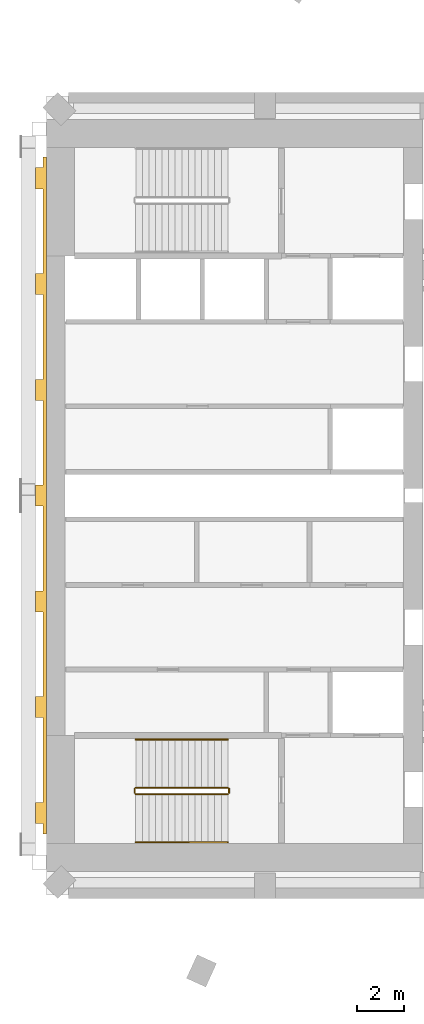
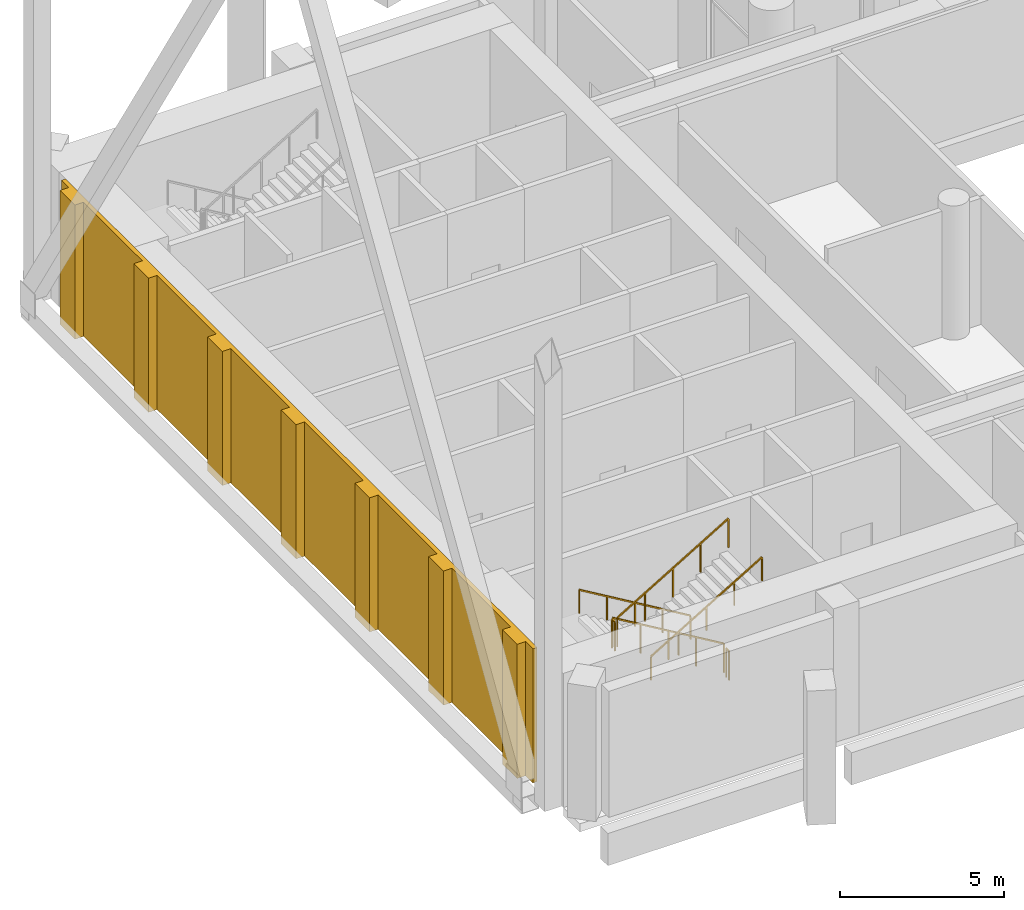
# One storey, part 10 of 12: 6 railings, 1 covering.
"""IFC4 building model written with IfcOpenShell, lengths in metres."""

from ifc_helpers import new_model, si_unit, direction, frame, origin, origin_2d, place, context, subcontext, project, spatial, polyline, rectangle, outline, extrude, material, layer, layer_set, type_object, element, save


model = new_model("IFC4")

# Units and contexts
model_context = context("Model", 3, precision=1e-05, world=origin(), true_north=direction((0.0, 1.0)))
body_context = subcontext(model_context, "Body", "Model", "MODEL_VIEW")
ifc_project = project(units=[si_unit("LENGTHUNIT", "METRE"), si_unit("AREAUNIT", "SQUARE_METRE"), si_unit("VOLUMEUNIT", "CUBIC_METRE"), si_unit("PLANEANGLEUNIT", "RADIAN"), si_unit("MASSUNIT", "GRAM", prefix="KILO")], contexts=[model_context])

# Site, building, storey
site_placement = place(None, origin())
site = spatial("IfcSite", under=ifc_project, at=site_placement, CompositionType="ELEMENT")
building_placement = place(site_placement, origin())
building = spatial("IfcBuilding", under=site, at=building_placement, Name="Cypress Arch Tower", CompositionType="ELEMENT")
storey_placement = place(building_placement, frame((0.0, 0.0, 238.39990234375)))
storey = spatial("IfcBuildingStorey", under=building, at=storey_placement, Name="L53", CompositionType="ELEMENT", Elevation=238.39990234375)

# Railings
ifc_material_1 = material(Name="Black powder-coated steel square bar 48 mm", Category="steel")
railing_type_1 = type_object("IfcRailingType", Name="Stair handrail HR1", PredefinedType="HANDRAIL", material=ifc_material_1)
railing_1_placement = place(storey_placement, frame((-22.27490234375, -10.375, 0.166748046875)))
element("IfcRailing", 1, at=railing_1_placement, inside=storey, type_object=railing_type_1, Name="L53 A stair handrail 1", PredefinedType="HANDRAIL", context=body_context, shape_type="SweptSolid", body=[
    extrude(rectangle(XDim=0.048095703125, YDim=0.048095703125, at=origin_2d()), frame((0.0, 0.0, 0.8759765625), z_axis=(-0.859310244771, 0.0, 0.511454693235), x_axis=(0.0, -1.0, 0.0)), (0.0, 0.0, 1.0), 4.56201171875),
    extrude(rectangle(XDim=0.0419921875, YDim=0.0419921875, at=origin_2d()), origin(), (0.0, 0.0, 1.0), 0.851806640625),
    extrude(rectangle(XDim=0.0419921875, YDim=0.0419921875, at=origin_2d()), frame((-0.97998046875, 0.0, 0.583251953125)), (0.0, 0.0, 1.0), 0.851806640625),
    extrude(rectangle(XDim=0.0419921875, YDim=0.0419921875, at=origin_2d()), frame((-1.9599609375, 0.0, 1.16650390625)), (0.0, 0.0, 1.0), 0.851806640625),
    extrude(rectangle(XDim=0.0419921875, YDim=0.0419921875, at=origin_2d()), frame((-2.940185546875, 0.0, 1.75)), (0.0, 0.0, 1.0), 0.851806640625),
    extrude(rectangle(XDim=0.0419921875, YDim=0.0419921875, at=origin_2d()), frame((-3.920166015625, 0.0, 2.333251953125)), (0.0, 0.0, 1.0), 0.851806640625),
])
railing_2_placement = place(storey_placement, frame((-26.195068359375, -14.75, 2.666748046875)))
element("IfcRailing", 2, at=railing_2_placement, inside=storey, type_object=railing_type_1, Name="L53 A stair handrail 2", PredefinedType="HANDRAIL", context=body_context, shape_type="SweptSolid", body=[
    extrude(rectangle(XDim=0.048095703125, YDim=0.048095703125, at=origin_2d()), frame((0.0, 0.0, 0.8759765625), z_axis=(0.859310244771, 0.0, 0.511454693235), x_axis=(0.0, 1.0, 0.0)), (0.0, 0.0, 1.0), 4.56201171875),
    extrude(rectangle(XDim=0.0419921875, YDim=0.0419921875, at=origin_2d()), origin(), (0.0, 0.0, 1.0), 0.851806640625),
    extrude(rectangle(XDim=0.0419921875, YDim=0.0419921875, at=origin_2d()), frame((0.97998046875, 0.0, 0.583251953125)), (0.0, 0.0, 1.0), 0.851806640625),
    extrude(rectangle(XDim=0.0419921875, YDim=0.0419921875, at=origin_2d()), frame((1.9599609375, 0.0, 1.16650390625)), (0.0, 0.0, 1.0), 0.851806640625),
    extrude(rectangle(XDim=0.0419921875, YDim=0.0419921875, at=origin_2d()), frame((2.940185546875, 0.0, 1.75)), (0.0, 0.0, 1.0), 0.851806640625),
    extrude(rectangle(XDim=0.0419921875, YDim=0.0419921875, at=origin_2d()), frame((3.920166015625, 0.0, 2.333251953125)), (0.0, 0.0, 1.0), 0.851806640625),
])
ifc_material_2 = material(Name="Black powder-coated steel balusters", Category="steel")
railing_type_2 = type_object("IfcRailingType", Name="Stair well guard G1", PredefinedType="GUARDRAIL", material=ifc_material_2)
railing_3_placement = place(storey_placement, frame((-22.27490234375, -12.425048828125, 0.166748046875)))
element("IfcRailing", 3, at=railing_3_placement, inside=storey, type_object=railing_type_2, Name="L53 A stair guard 1", PredefinedType="GUARDRAIL", context=body_context, shape_type="SweptSolid", body=[
    extrude(rectangle(XDim=0.048095703125, YDim=0.048095703125, at=origin_2d()), frame((0.0, 0.0, 1.076171875), z_axis=(-0.859310244771, 0.0, 0.511454693235), x_axis=(0.0, -1.0, 0.0)), (0.0, 0.0, 1.0), 4.56201171875),
    extrude(rectangle(XDim=0.0419921875, YDim=0.0419921875, at=origin_2d()), origin(), (0.0, 0.0, 1.0), 1.052001953125),
    extrude(rectangle(XDim=0.0419921875, YDim=0.0419921875, at=origin_2d()), frame((-0.97998046875, 0.0, 0.583251953125)), (0.0, 0.0, 1.0), 1.052001953125),
    extrude(rectangle(XDim=0.0419921875, YDim=0.0419921875, at=origin_2d()), frame((-1.9599609375, 0.0, 1.16650390625)), (0.0, 0.0, 1.0), 1.052001953125),
    extrude(rectangle(XDim=0.0419921875, YDim=0.0419921875, at=origin_2d()), frame((-2.940185546875, 0.0, 1.75)), (0.0, 0.0, 1.0), 1.052001953125),
    extrude(rectangle(XDim=0.0419921875, YDim=0.0419921875, at=origin_2d()), frame((-3.920166015625, 0.0, 2.333251953125)), (0.0, 0.0, 1.0), 1.052001953125),
])
railing_4_placement = place(storey_placement, frame((-26.2451171875, -12.47509765625, 2.5)))
element("IfcRailing", 4, at=railing_4_placement, inside=storey, type_object=railing_type_2, Name="L53 A stair guard 2", PredefinedType="GUARDRAIL", context=body_context, shape_type="SweptSolid", body=[
    extrude(rectangle(XDim=0.048095703125, YDim=0.048095703125, at=origin_2d()), frame((0.0, 0.0, 1.076171875), z_axis=(0.0, -1.0, 0.0), x_axis=(1.0, 0.0, 0.0)), (0.0, 0.0, 1.0), 0.1748046875),
    extrude(rectangle(XDim=0.0419921875, YDim=0.0419921875, at=origin_2d()), origin(), (0.0, 0.0, 1.0), 1.052001953125),
    extrude(rectangle(XDim=0.0419921875, YDim=0.0419921875, at=origin_2d()), frame((0.0, -0.1748046875, 0.0)), (0.0, 0.0, 1.0), 1.052001953125),
])
railing_5_placement = place(storey_placement, frame((-26.195068359375, -12.699951171875, 2.666748046875)))
element("IfcRailing", 5, at=railing_5_placement, inside=storey, type_object=railing_type_2, Name="L53 A stair guard 3", PredefinedType="GUARDRAIL", context=body_context, shape_type="SweptSolid", body=[
    extrude(rectangle(XDim=0.048095703125, YDim=0.048095703125, at=origin_2d()), frame((0.0, 0.0, 1.076171875), z_axis=(0.859310244771, 0.0, 0.511454693235), x_axis=(0.0, 1.0, 0.0)), (0.0, 0.0, 1.0), 4.56201171875),
    extrude(rectangle(XDim=0.0419921875, YDim=0.0419921875, at=origin_2d()), origin(), (0.0, 0.0, 1.0), 1.052001953125),
    extrude(rectangle(XDim=0.0419921875, YDim=0.0419921875, at=origin_2d()), frame((0.97998046875, 0.0, 0.583251953125)), (0.0, 0.0, 1.0), 1.052001953125),
    extrude(rectangle(XDim=0.0419921875, YDim=0.0419921875, at=origin_2d()), frame((1.9599609375, 0.0, 1.16650390625)), (0.0, 0.0, 1.0), 1.052001953125),
    extrude(rectangle(XDim=0.0419921875, YDim=0.0419921875, at=origin_2d()), frame((2.940185546875, 0.0, 1.75)), (0.0, 0.0, 1.0), 1.052001953125),
    extrude(rectangle(XDim=0.0419921875, YDim=0.0419921875, at=origin_2d()), frame((3.920166015625, 0.0, 2.333251953125)), (0.0, 0.0, 1.0), 1.052001953125),
])
railing_6_placement = place(storey_placement, frame((-22.22509765625, -12.47509765625, 0.0)))
element("IfcRailing", 6, at=railing_6_placement, inside=storey, type_object=railing_type_2, Name="L53 A stair guard 4", PredefinedType="GUARDRAIL", context=body_context, shape_type="SweptSolid", body=[
    extrude(rectangle(XDim=0.048095703125, YDim=0.048095703125, at=origin_2d()), frame((0.0, 0.0, 1.076171875), z_axis=(0.0, -1.0, 0.0), x_axis=(1.0, 0.0, 0.0)), (0.0, 0.0, 1.0), 0.1748046875),
    extrude(rectangle(XDim=0.0419921875, YDim=0.0419921875, at=origin_2d()), origin(), (0.0, 0.0, 1.0), 1.052001953125),
    extrude(rectangle(XDim=0.0419921875, YDim=0.0419921875, at=origin_2d()), frame((0.0, -0.1748046875, 0.0)), (0.0, 0.0, 1.0), 1.052001953125),
])

# Covering
ifc_material_3 = material(Name="Brick (red buff blend)", Category="masonry")
ifc_layer = layer(ifc_material_3, 0.449951171875)
ifc_layer_set = layer_set([ifc_layer], Name="West face brick piers WP450")
covering_type = type_object("IfcCoveringType", Name="West face brick piers WP450", PredefinedType="CLADDING", material=ifc_layer_set)
covering_placement = place(storey_placement, origin())
element("IfcCovering", 7, at=covering_placement, inside=storey, type_object=covering_type, Name="West face brick piers L53", PredefinedType="CLADDING", context=body_context, shape_type="SweptSolid", body=[
    extrude(outline(polyline([(-30.14990234375, -13.050048828125), (-30.14990234375, -9.449951171875), (-30.449951171875, -9.449951171875), (-30.449951171875, -8.550048828125), (-30.14990234375, -8.550048828125), (-30.14990234375, -4.949951171875), (-30.449951171875, -4.949951171875), (-30.449951171875, -4.050048828125), (-30.14990234375, -4.050048828125), (-30.14990234375, -0.449951171875), (-30.449951171875, -0.449951171875), (-30.449951171875, 0.449951171875), (-30.14990234375, 0.449951171875), (-30.14990234375, 4.050048828125), (-30.449951171875, 4.050048828125), (-30.449951171875, 4.949951171875), (-30.14990234375, 4.949951171875), (-30.14990234375, 8.550048828125), (-30.449951171875, 8.550048828125), (-30.449951171875, 9.449951171875), (-30.14990234375, 9.449951171875), (-30.14990234375, 13.050048828125), (-30.449951171875, 13.050048828125), (-30.449951171875, 13.949951171875), (-30.14990234375, 13.949951171875), (-30.14990234375, 14.39990234375), (-30.0, 14.39990234375), (-30.0, -14.39990234375), (-30.14990234375, -14.39990234375), (-30.14990234375, -13.949951171875), (-30.449951171875, -13.949951171875), (-30.449951171875, -13.050048828125), (-30.14990234375, -13.050048828125)])), origin(), (0.0, 0.0, 1.0), 5.0),
])

save(model, "model.ifc")
